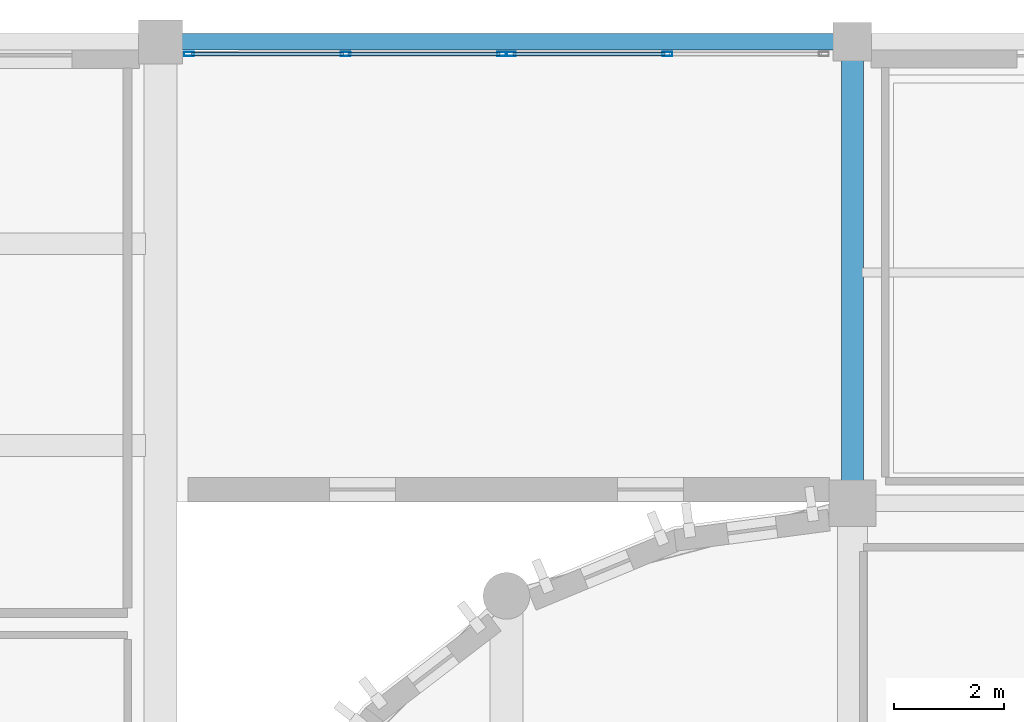
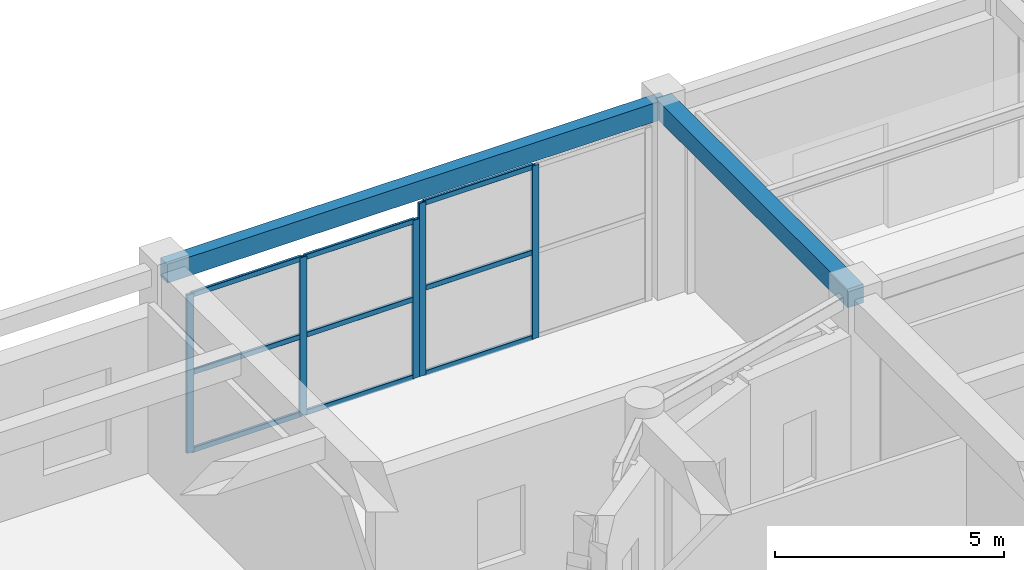
# One storey, part 35 of 98: 14 members, 2 beams, 2 elements without a shape of their own.
"""IFC4 building model written with IfcOpenShell, lengths in metres."""

from ifc_helpers import new_model, si_unit, direction, frame, origin, origin_2d, place, context, subcontext, project, spatial, rectangle, hollow_rectangle, extrude, material, layer, layer_set, material_profile, profile_set, type_object, element, aggregate, save


model = new_model("IFC4")

# Units and contexts
model_context = context("Model", 3, precision=1e-05, world=origin(), true_north=direction((0.0, 1.0)))
body_context = subcontext(model_context, "Body", "Model", "MODEL_VIEW")
ifc_project = project(units=[si_unit("LENGTHUNIT", "METRE"), si_unit("AREAUNIT", "SQUARE_METRE"), si_unit("VOLUMEUNIT", "CUBIC_METRE"), si_unit("PLANEANGLEUNIT", "RADIAN"), si_unit("MASSUNIT", "GRAM", prefix="KILO")], contexts=[model_context])

# Site, building, storey
site_placement = place(None, origin())
site = spatial("IfcSite", under=ifc_project, at=site_placement, CompositionType="ELEMENT")
building_placement = place(site_placement, origin())
building = spatial("IfcBuilding", under=site, at=building_placement, Name="Tarnavel Promenade Courthouse", CompositionType="ELEMENT")
storey_placement = place(building_placement, origin())
storey = spatial("IfcBuildingStorey", under=building, at=storey_placement, Name="L01", CompositionType="ELEMENT", Elevation=0.0)

# Beams
ifc_material_1 = material(Name="Concrete C40/50", Category="concrete")
ifc_material_profile_1 = material_profile(ifc_material_1, rectangle(XDim=0.39990234375, YDim=0.5, at=origin_2d()), Name="RC 400x500")
ifc_profile_set_1 = profile_set([ifc_material_profile_1], Name="Concrete C40/50")
beam_type_1 = type_object("IfcBeamType", Name="Concrete C40/50 BM-RC-400x500 (RC 400x500)", PredefinedType="BEAM", material=ifc_profile_set_1)
beam_1_placement = place(storey_placement, frame((58.800048828125, 104.39990234375, 4.885009765625), z_axis=(0.0, 1.0, 0.0), x_axis=(-1.0, 0.0, 0.0)))
element("IfcBeam", 1, at=beam_1_placement, inside=storey, type_object=beam_type_1, Name="L01 Transverse Girder 0794", PredefinedType="BEAM", context=body_context, shape_type="SweptSolid", body=[
    extrude(rectangle(XDim=0.39990234375, YDim=0.5, at=origin_2d()), origin(), (0.0, 0.0, 1.0), 8.400146484375),
])
ifc_material_profile_2 = material_profile(ifc_material_1, rectangle(XDim=0.300048828125, YDim=0.5, at=origin_2d()), Name="RC 300x500")
ifc_profile_set_2 = profile_set([ifc_material_profile_2], Name="Concrete C40/50")
beam_type_2 = type_object("IfcBeamType", Name="Concrete C40/50 BM-SP-300x500 (RC 300x500)", PredefinedType="SPANDREL", material=ifc_profile_set_2)
beam_2_placement = place(storey_placement, frame((46.199951171875, 112.800048828125, 4.885009765625), z_axis=(1.0, 0.0, 0.0), x_axis=(0.0, 1.0, 0.0)))
element("IfcBeam", 2, at=beam_2_placement, inside=storey, type_object=beam_type_2, Name="L01 Primary Longitudinal Beam 0725", PredefinedType="SPANDREL", context=body_context, shape_type="SweptSolid", body=[
    extrude(rectangle(XDim=0.300048828125, YDim=0.5, at=origin_2d()), origin(), (0.0, 0.0, 1.0), 12.60009765625),
])

# Curtain wall, members
ifc_material_2 = material(Name="Thermally Broken Anodised Aluminium Curtain Wall System", Category="aluminium")
ifc_layer = layer(ifc_material_2, 0.199951171875)
ifc_layer_set = layer_set([ifc_layer], Name="Thermally Broken Anodised Aluminium Curtain Wall System")
curtain_wall_type = type_object("IfcCurtainWallType", Name="Thermally Broken Aluminium Triple-Glazed Curtain Wall CW-FOYER", PredefinedType="NOTDEFINED", material=ifc_layer_set)
curtain_wall_1_placement = place(storey_placement, origin())
curtain_wall_1 = element("IfcCurtainWall", 3, at=curtain_wall_1_placement, inside=storey, type_object=curtain_wall_type, Name="L01 North Foyer Curtain Wall A 120", PredefinedType="NOTDEFINED")
ifc_material_3 = material(Name="Thermally Broken Anodised Aluminium Frame", Category="aluminium")
ifc_material_profile_3 = material_profile(ifc_material_3, hollow_rectangle(XDim=0.080078125, YDim=0.179931640625, WallThickness=0.0048828125, InnerFilletRadius=0.0048828125, OuterFilletRadius=0.010009765625, at=origin_2d()), Name="CWM 180x80x5")
ifc_profile_set_3 = profile_set([ifc_material_profile_3], Name="Thermally Broken Anodised Aluminium Frame")
member_type_1 = type_object("IfcMemberType", Name="Thermally Broken Anodised Aluminium CWM-155 (CWM 180x80x5)", PredefinedType="MULLION", material=ifc_profile_set_3)
member_1_placement = place(storey_placement, frame((46.719970703125, 112.580078125, 0.0), z_axis=(0.0, 0.0, 1.0), x_axis=(0.0, 1.0, 0.0)))
member_1 = element("IfcMember", 4, at=member_1_placement, type_object=member_type_1, Name="CW-04 mullion 1", PredefinedType="MULLION", context=body_context, shape_type="SweptSolid", body=[
    extrude(hollow_rectangle(XDim=0.080078125, YDim=0.179931640625, WallThickness=0.0048828125, InnerFilletRadius=0.0048828125, OuterFilletRadius=0.010009765625, at=origin_2d()), origin(), (0.0, 0.0, 1.0), 4.219970703125),
])
member_2_placement = place(storey_placement, frame((49.570068359375, 112.580078125, 0.0), z_axis=(0.0, 0.0, 1.0), x_axis=(0.0, 1.0, 0.0)))
member_2 = element("IfcMember", 5, at=member_2_placement, type_object=member_type_1, Name="CW-04 mullion 2", PredefinedType="MULLION", context=body_context, shape_type="SweptSolid", body=[
    extrude(hollow_rectangle(XDim=0.080078125, YDim=0.179931640625, WallThickness=0.0048828125, InnerFilletRadius=0.0048828125, OuterFilletRadius=0.010009765625, at=origin_2d()), origin(), (0.0, 0.0, 1.0), 4.219970703125),
])
member_3_placement = place(storey_placement, frame((52.419921875, 112.580078125, 0.0), z_axis=(0.0, 0.0, 1.0), x_axis=(0.0, 1.0, 0.0)))
member_3 = element("IfcMember", 6, at=member_3_placement, type_object=member_type_1, Name="CW-04 mullion 3", PredefinedType="MULLION", context=body_context, shape_type="SweptSolid", body=[
    extrude(hollow_rectangle(XDim=0.080078125, YDim=0.179931640625, WallThickness=0.0048828125, InnerFilletRadius=0.0048828125, OuterFilletRadius=0.010009765625, at=origin_2d()), origin(), (0.0, 0.0, 1.0), 4.219970703125),
])

curtain_wall_2_placement = place(storey_placement, origin())
curtain_wall_2 = element("IfcCurtainWall", 7, at=curtain_wall_2_placement, inside=storey, type_object=curtain_wall_type, Name="L01 North Foyer Curtain Wall B 121", PredefinedType="NOTDEFINED")
member_4_placement = place(storey_placement, frame((52.580078125, 112.580078125, 0.0), z_axis=(0.0, 0.0, 1.0), x_axis=(0.0, 1.0, 0.0)))
member_4 = element("IfcMember", 8, at=member_4_placement, type_object=member_type_1, Name="CW-04 mullion 1", PredefinedType="MULLION", context=body_context, shape_type="SweptSolid", body=[
    extrude(hollow_rectangle(XDim=0.080078125, YDim=0.179931640625, WallThickness=0.0048828125, InnerFilletRadius=0.0048828125, OuterFilletRadius=0.010009765625, at=origin_2d()), origin(), (0.0, 0.0, 1.0), 4.6201171875),
])
member_5_placement = place(storey_placement, frame((55.429931640625, 112.580078125, 0.0), z_axis=(0.0, 0.0, 1.0), x_axis=(0.0, 1.0, 0.0)))
member_5 = element("IfcMember", 9, at=member_5_placement, type_object=member_type_1, Name="CW-04 mullion 2", PredefinedType="MULLION", context=body_context, shape_type="SweptSolid", body=[
    extrude(hollow_rectangle(XDim=0.080078125, YDim=0.179931640625, WallThickness=0.0048828125, InnerFilletRadius=0.0048828125, OuterFilletRadius=0.010009765625, at=origin_2d()), origin(), (0.0, 0.0, 1.0), 4.6201171875),
])

# Member
ifc_material_profile_4 = material_profile(ifc_material_3, hollow_rectangle(XDim=0.070068359375, YDim=0.139892578125, WallThickness=0.0048828125, InnerFilletRadius=0.0048828125, OuterFilletRadius=0.010009765625, at=origin_2d()), Name="CWT 140x70x5")
ifc_profile_set_4 = profile_set([ifc_material_profile_4], Name="Thermally Broken Anodised Aluminium Frame")
member_type_2 = type_object("IfcMemberType", Name="Thermally Broken Anodised Aluminium CWT-125 (CWT 140x70x5)", PredefinedType="USERDEFINED", material=ifc_profile_set_4)
member_6_placement = place(storey_placement, frame((46.760009765625, 112.580078125, 0.034912109375), z_axis=(1.0, 0.0, 0.0), x_axis=(0.0, 1.0, 0.0)))
member_6 = element("IfcMember", 10, at=member_6_placement, type_object=member_type_2, Name="CW-04 transom 1.1", ObjectType="TRANSOM", PredefinedType="USERDEFINED", context=body_context, shape_type="SweptSolid", body=[
    extrude(hollow_rectangle(XDim=0.070068359375, YDim=0.139892578125, WallThickness=0.0048828125, InnerFilletRadius=0.0048828125, OuterFilletRadius=0.010009765625, at=origin_2d()), origin(), (0.0, 0.0, 1.0), 2.77001953125),
])

member_7_placement = place(storey_placement, frame((46.760009765625, 112.580078125, 2.110107421875), z_axis=(1.0, 0.0, 0.0), x_axis=(0.0, 1.0, 0.0)))
member_7 = element("IfcMember", 11, at=member_7_placement, type_object=member_type_2, Name="CW-04 transom 1.2", ObjectType="TRANSOM", PredefinedType="USERDEFINED", context=body_context, shape_type="SweptSolid", body=[
    extrude(hollow_rectangle(XDim=0.070068359375, YDim=0.139892578125, WallThickness=0.0048828125, InnerFilletRadius=0.0048828125, OuterFilletRadius=0.010009765625, at=origin_2d()), origin(), (0.0, 0.0, 1.0), 2.77001953125),
])

member_8_placement = place(storey_placement, frame((46.760009765625, 112.580078125, 4.18505859375), z_axis=(1.0, 0.0, 0.0), x_axis=(0.0, 1.0, 0.0)))
member_8 = element("IfcMember", 12, at=member_8_placement, type_object=member_type_2, Name="CW-04 transom 1.3", ObjectType="TRANSOM", PredefinedType="USERDEFINED", context=body_context, shape_type="SweptSolid", body=[
    extrude(hollow_rectangle(XDim=0.070068359375, YDim=0.139892578125, WallThickness=0.0048828125, InnerFilletRadius=0.0048828125, OuterFilletRadius=0.010009765625, at=origin_2d()), origin(), (0.0, 0.0, 1.0), 2.77001953125),
])

member_9_placement = place(storey_placement, frame((49.610107421875, 112.580078125, 0.034912109375), z_axis=(1.0, 0.0, 0.0), x_axis=(0.0, 1.0, 0.0)))
member_9 = element("IfcMember", 13, at=member_9_placement, type_object=member_type_2, Name="CW-04 transom 2.1", ObjectType="TRANSOM", PredefinedType="USERDEFINED", context=body_context, shape_type="SweptSolid", body=[
    extrude(hollow_rectangle(XDim=0.070068359375, YDim=0.139892578125, WallThickness=0.0048828125, InnerFilletRadius=0.0048828125, OuterFilletRadius=0.010009765625, at=origin_2d()), origin(), (0.0, 0.0, 1.0), 2.769775390625),
])

member_10_placement = place(storey_placement, frame((49.610107421875, 112.580078125, 2.110107421875), z_axis=(1.0, 0.0, 0.0), x_axis=(0.0, 1.0, 0.0)))
member_10 = element("IfcMember", 14, at=member_10_placement, type_object=member_type_2, Name="CW-04 transom 2.2", ObjectType="TRANSOM", PredefinedType="USERDEFINED", context=body_context, shape_type="SweptSolid", body=[
    extrude(hollow_rectangle(XDim=0.070068359375, YDim=0.139892578125, WallThickness=0.0048828125, InnerFilletRadius=0.0048828125, OuterFilletRadius=0.010009765625, at=origin_2d()), origin(), (0.0, 0.0, 1.0), 2.769775390625),
])

member_11_placement = place(storey_placement, frame((49.610107421875, 112.580078125, 4.18505859375), z_axis=(1.0, 0.0, 0.0), x_axis=(0.0, 1.0, 0.0)))
member_11 = element("IfcMember", 15, at=member_11_placement, type_object=member_type_2, Name="CW-04 transom 2.3", ObjectType="TRANSOM", PredefinedType="USERDEFINED", context=body_context, shape_type="SweptSolid", body=[
    extrude(hollow_rectangle(XDim=0.070068359375, YDim=0.139892578125, WallThickness=0.0048828125, InnerFilletRadius=0.0048828125, OuterFilletRadius=0.010009765625, at=origin_2d()), origin(), (0.0, 0.0, 1.0), 2.769775390625),
])

aggregate(curtain_wall_1, [member_1, member_2, member_3, member_6, member_7, member_8, member_9, member_10, member_11])

member_12_placement = place(storey_placement, frame((52.6201171875, 112.580078125, 0.034912109375), z_axis=(1.0, 0.0, 0.0), x_axis=(0.0, 1.0, 0.0)))
member_12 = element("IfcMember", 16, at=member_12_placement, type_object=member_type_2, Name="CW-04 transom 1.1", ObjectType="TRANSOM", PredefinedType="USERDEFINED", context=body_context, shape_type="SweptSolid", body=[
    extrude(hollow_rectangle(XDim=0.070068359375, YDim=0.139892578125, WallThickness=0.0048828125, InnerFilletRadius=0.0048828125, OuterFilletRadius=0.010009765625, at=origin_2d()), origin(), (0.0, 0.0, 1.0), 2.769775390625),
])

member_13_placement = place(storey_placement, frame((52.6201171875, 112.580078125, 2.31005859375), z_axis=(1.0, 0.0, 0.0), x_axis=(0.0, 1.0, 0.0)))
member_13 = element("IfcMember", 17, at=member_13_placement, type_object=member_type_2, Name="CW-04 transom 1.2", ObjectType="TRANSOM", PredefinedType="USERDEFINED", context=body_context, shape_type="SweptSolid", body=[
    extrude(hollow_rectangle(XDim=0.070068359375, YDim=0.139892578125, WallThickness=0.0048828125, InnerFilletRadius=0.0048828125, OuterFilletRadius=0.010009765625, at=origin_2d()), origin(), (0.0, 0.0, 1.0), 2.769775390625),
])

member_14_placement = place(storey_placement, frame((52.6201171875, 112.580078125, 4.5849609375), z_axis=(1.0, 0.0, 0.0), x_axis=(0.0, 1.0, 0.0)))
member_14 = element("IfcMember", 18, at=member_14_placement, type_object=member_type_2, Name="CW-04 transom 1.3", ObjectType="TRANSOM", PredefinedType="USERDEFINED", context=body_context, shape_type="SweptSolid", body=[
    extrude(hollow_rectangle(XDim=0.070068359375, YDim=0.139892578125, WallThickness=0.0048828125, InnerFilletRadius=0.0048828125, OuterFilletRadius=0.010009765625, at=origin_2d()), origin(), (0.0, 0.0, 1.0), 2.769775390625),
])

aggregate(curtain_wall_2, [member_4, member_5, member_12, member_13, member_14])

save(model, "model.ifc")
